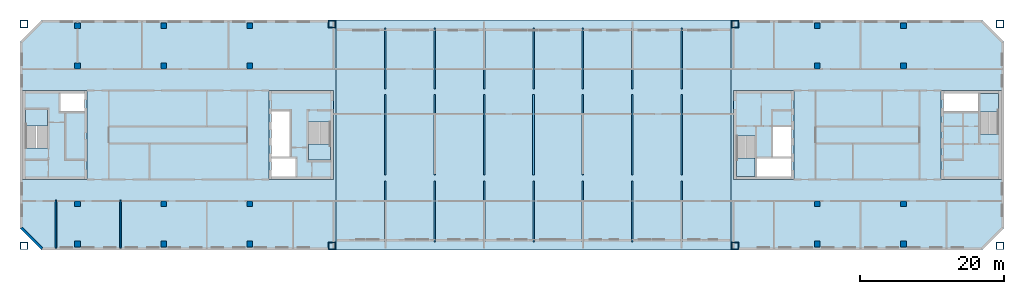
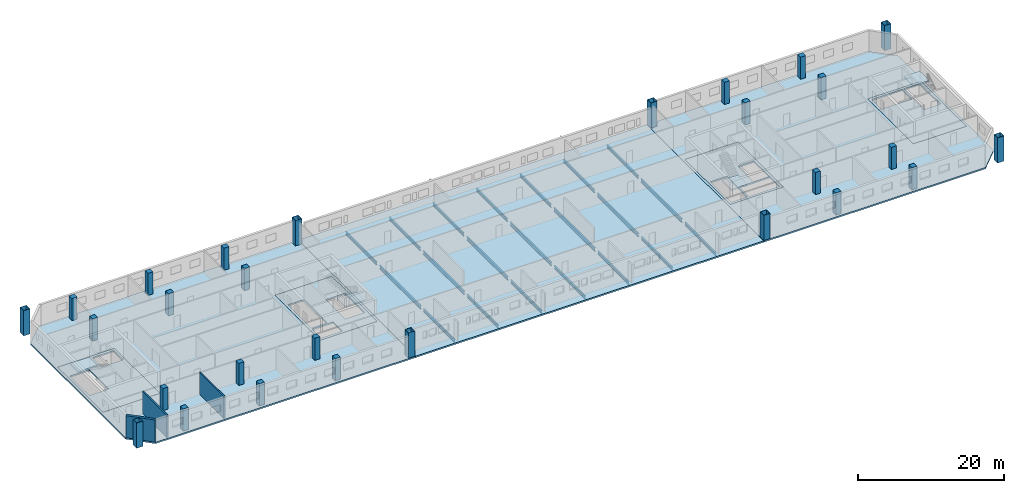
# One storey, part 1 of 13: 28 columns, 21 beams, 11 slabs, 3 walls, 4 elements without a shape of their own.
"""IFC4 building model written with IfcOpenShell, lengths in metres."""

import ifcopenshell
import ifcopenshell.guid

model = None  # the IFC model being written
_history = None  # IfcOwnerHistory: only IFC2X3 demands one
_inside = {}  # id of a spatial element -> (the spatial element, [elements in it])
_under = {}  # id of a project, library or spatial element -> (it, [spatial elements below it])
_declared = {}  # id of a project -> (the project, [libraries it declares])
_typed = {}  # id of a type object -> (the type object, [elements of that type])
_made_of = {}  # id of a material, layer set ... -> (it, [elements and type objects made of it])


def new_model(schema):
    """Start an empty IFC model of exactly this schema.

    Asked for "IFC4X3", IfcOpenShell would pick the latest addendum, in which some entities
    have other attributes; the version numbers below select the first issue.
    IFC2X3 requires an IfcOwnerHistory on every rooted entity: one is made here for all.
    """
    global model, _history
    if schema == "IFC4X3":
        model = ifcopenshell.file(schema_version=(4, 3, 0, 0))
    else:
        model = ifcopenshell.file(schema=schema)
    _inside.clear()
    _under.clear()
    _declared.clear()
    _typed.clear()
    _made_of.clear()
    _history = None
    if model.schema == "IFC2X3":
        org = make("IfcOrganization", Name="unknown")
        user = make(
            "IfcPersonAndOrganization",
            ThePerson=make("IfcPerson", FamilyName="unknown"),
            TheOrganization=org,
        )
        app = make(
            "IfcApplication",
            ApplicationDeveloper=org,
            Version="unknown",
            ApplicationFullName="unknown",
            ApplicationIdentifier="unknown",
        )
        _history = make(
            "IfcOwnerHistory",
            OwningUser=user,
            OwningApplication=app,
            ChangeAction="ADDED",
            CreationDate=0,
        )
    return model


def make(cls, **values):
    """One entity of the class cls with the attributes given. An attribute that is None is left unset."""
    return model.create_entity(
        cls, **{name: value for name, value in values.items() if value is not None}
    )


def rooted(cls, **values):
    """An entity with a GlobalId (a new one), such as an element, a storey or a relation."""
    return make(cls, GlobalId=ifcopenshell.guid.new(), OwnerHistory=_history, **values)


def si_unit(unit_type, name, prefix=None):
    """IfcSIUnit, for example si_unit("LENGTHUNIT", "METRE", prefix="MILLI")."""
    return make("IfcSIUnit", UnitType=unit_type, Prefix=prefix, Name=name)


def assignment(units):
    """IfcUnitAssignment: the units of a project."""
    return None if units is None else make("IfcUnitAssignment", Units=units)


def point(xyz):
    """IfcCartesianPoint."""
    return None if xyz is None else make("IfcCartesianPoint", Coordinates=xyz)


def direction(xyz):
    """IfcDirection."""
    return None if xyz is None else make("IfcDirection", DirectionRatios=xyz)


def frame(location, z_axis=None, x_axis=None):
    """IfcAxis2Placement3D, a coordinate frame: its origin and axes. An axis left out is left unset."""
    return make(
        "IfcAxis2Placement3D",
        Location=point(location),
        Axis=direction(z_axis),
        RefDirection=direction(x_axis),
    )


def frame_2d(location, x_axis=None):
    """IfcAxis2Placement2D, a coordinate frame in the plane: its origin and x axis."""
    return make(
        "IfcAxis2Placement2D", Location=point(location), RefDirection=direction(x_axis)
    )


def origin():
    """The frame at (0, 0, 0) with its axes left unset."""
    return frame((0.0, 0.0, 0.0))


def origin_2d():
    """The frame at (0, 0) in the plane with its x axis left unset."""
    return frame_2d((0.0, 0.0))


def place(relative_to, where):
    """IfcLocalPlacement: puts the frame where relative to a parent placement (None: the world)."""
    return make(
        "IfcLocalPlacement", PlacementRelTo=relative_to, RelativePlacement=where
    )


def context(
    kind, dimensions, precision=None, world=None, true_north=None, identifier=None
):
    """IfcGeometricRepresentationContext, for example the 3D "Model" context."""
    return make(
        "IfcGeometricRepresentationContext",
        ContextIdentifier=identifier,
        ContextType=kind,
        CoordinateSpaceDimension=dimensions,
        Precision=precision,
        WorldCoordinateSystem=world,
        TrueNorth=true_north,
    )


def subcontext(parent, identifier, kind, view, scale=None):
    """IfcGeometricRepresentationSubContext, for example "Body" below "Model"."""
    return make(
        "IfcGeometricRepresentationSubContext",
        ContextIdentifier=identifier,
        ContextType=kind,
        ParentContext=parent,
        TargetScale=scale,
        TargetView=view,
    )


def project(units=None, contexts=None):
    """IfcProject with its units and contexts."""
    return rooted(
        "IfcProject",
        Name="project",
        RepresentationContexts=contexts,
        UnitsInContext=assignment(units),
    )


def spatial(cls, under=None, at=None, **own):
    """A site, building, storey or space (cls), placed at a placement, below another one or the project."""
    s = rooted(cls, ObjectPlacement=at, **own)
    if under is not None:
        _under.setdefault(under.id(), (under, []))[1].append(s)
    return s


def polyline(points):
    """IfcPolyline through the points."""
    return make("IfcPolyline", Points=[point(p) for p in points])


def profile(cls, at=None, kind="AREA", **sizes):
    """A parametric profile (cls). Its sizes go by their IFC names, for example OverallWidth=200.0."""
    return make(cls, ProfileType=kind, Position=at, **sizes)


def rectangle(**sizes):
    """IfcRectangleProfileDef."""
    return profile("IfcRectangleProfileDef", **sizes)


def hollow_rectangle(**sizes):
    """IfcRectangleHollowProfileDef."""
    return profile("IfcRectangleHollowProfileDef", **sizes)


def i_section(**sizes):
    """IfcIShapeProfileDef."""
    return profile("IfcIShapeProfileDef", **sizes)


def outline(outer, holes=None, kind="AREA"):
    """IfcArbitraryClosedProfileDef: a profile drawn as a closed curve; with holes, ...WithVoids."""
    if holes is None:
        return make("IfcArbitraryClosedProfileDef", ProfileType=kind, OuterCurve=outer)
    return make(
        "IfcArbitraryProfileDefWithVoids",
        ProfileType=kind,
        OuterCurve=outer,
        InnerCurves=holes,
    )


def extrude(swept, where, along, depth):
    """IfcExtrudedAreaSolid: the profile swept, set in the frame where, extruded along a direction by depth."""
    return make(
        "IfcExtrudedAreaSolid",
        SweptArea=swept,
        Position=where,
        ExtrudedDirection=direction(along),
        Depth=depth,
    )


def shape(context_of_items, identifier, shape_type, items):
    """IfcShapeRepresentation: the items that make up one representation, for example the "Body"."""
    return make(
        "IfcShapeRepresentation",
        ContextOfItems=context_of_items,
        RepresentationIdentifier=identifier,
        RepresentationType=shape_type,
        Items=items,
    )


def material(Name=None, Category=None):
    """IfcMaterial."""
    return make("IfcMaterial", Name=Name, Category=Category)


def layer(
    of_material, thickness, ventilated=None, Name=None, Category=None, Priority=None
):
    """IfcMaterialLayer: one layer of a wall or slab, of a material (None: an air gap)."""
    return make(
        "IfcMaterialLayer",
        Material=of_material,
        LayerThickness=thickness,
        IsVentilated=ventilated,
        Name=Name,
        Category=Category,
        Priority=Priority,
    )


def layer_set(layers, Name=None):
    """IfcMaterialLayerSet."""
    return make("IfcMaterialLayerSet", MaterialLayers=layers, LayerSetName=Name)


def material_profile(
    of_material, cross_section, Name=None, Category=None, Priority=None
):
    """IfcMaterialProfile: a cross section and its material."""
    return make(
        "IfcMaterialProfile",
        Name=Name,
        Material=of_material,
        Profile=cross_section,
        Priority=Priority,
        Category=Category,
    )


def profile_set(profiles, Name=None, composite=None):
    """IfcMaterialProfileSet."""
    return make(
        "IfcMaterialProfileSet",
        Name=Name,
        MaterialProfiles=profiles,
        CompositeProfile=composite,
    )


def made_of(thing, what):
    """Note that an element or type object is made of a material, layer set ...; save() writes the relation."""
    if what is not None:
        _made_of.setdefault(what.id(), (what, []))[1].append(thing)
    return thing


def type_object(cls, material=None, **own):
    """A type object (cls), such as IfcWallType, which elements share."""
    return made_of(rooted(cls, **own), material)


def element(
    cls,
    number,
    at=None,
    inside=None,
    cuts=None,
    type_object=None,
    material=None,
    context=None,
    identifier="Body",
    shape_type=None,
    held_by="IfcProductDefinitionShape",
    body=None,
    shapes=None,
    **own,
):
    """One element of the class cls, such as IfcWall. Its Tag is "e" and its number.

    at: its placement. inside: the storey or other place that contains it. cuts: it is an
    opening in that element (IfcRelVoidsElement). A single representation is given by context,
    identifier, shape_type and body (its items); several are given by shapes. held_by: the class
    of the entity that holds the representations. save() writes the other relations.
    """
    e = rooted(cls, Tag="e%d" % number, ObjectPlacement=at, **own)
    if body is not None:
        shapes = [shape(context, identifier, shape_type, body)]
    if shapes is not None:
        e.Representation = make(held_by, Representations=shapes)
    if inside is not None:
        _inside.setdefault(inside.id(), (inside, []))[1].append(e)
    if cuts is not None:
        rooted(
            "IfcRelVoidsElement", RelatingBuildingElement=cuts, RelatedOpeningElement=e
        )
    if type_object is not None:
        _typed.setdefault(type_object.id(), (type_object, []))[1].append(e)
    return made_of(e, material)


def aggregate(whole, parts):
    """IfcRelAggregates: a whole, such as a stair, and the parts it consists of."""
    return rooted("IfcRelAggregates", RelatingObject=whole, RelatedObjects=parts)


def save(model, path):
    """Write the relations noted so far, then the file.

    IfcRelAggregates (storeys below a building ...), IfcRelContainedInSpatialStructure (elements
    in a storey), IfcRelDefinesByType, IfcRelAssociatesMaterial and IfcRelDeclares: one each for
    every whole, place, type object, material and project.
    """
    for whole, parts in _under.values():
        aggregate(whole, parts)
    for where, things in _inside.values():
        rooted(
            "IfcRelContainedInSpatialStructure",
            RelatedElements=things,
            RelatingStructure=where,
        )
    for kind, things in _typed.values():
        rooted("IfcRelDefinesByType", RelatedObjects=things, RelatingType=kind)
    for what, things in _made_of.values():
        rooted("IfcRelAssociatesMaterial", RelatedObjects=things, RelatingMaterial=what)
    for by, libraries in _declared.values():
        rooted("IfcRelDeclares", RelatingContext=by, RelatedDefinitions=libraries)
    model.write(path)


model = new_model("IFC4")

# Units and contexts
model_context = context("Model", 3, precision=1e-05, world=origin(), true_north=direction((0.0, 1.0)))
body_context = subcontext(model_context, "Body", "Model", "MODEL_VIEW")
ifc_project = project(units=[si_unit("LENGTHUNIT", "METRE"), si_unit("AREAUNIT", "SQUARE_METRE"), si_unit("VOLUMEUNIT", "CUBIC_METRE"), si_unit("PLANEANGLEUNIT", "RADIAN"), si_unit("MASSUNIT", "GRAM", prefix="KILO")], contexts=[model_context])

# Site, building, storey
site_placement = place(None, origin())
site = spatial("IfcSite", under=ifc_project, at=site_placement, CompositionType="ELEMENT")
building_placement = place(site_placement, origin())
building = spatial("IfcBuilding", under=site, at=building_placement, Name="Tuart Gate Housing", CompositionType="ELEMENT")
storey_placement = place(building_placement, frame((0.0, 0.0, 198.60009765625)))
storey = spatial("IfcBuildingStorey", under=building, at=storey_placement, Name="L56", CompositionType="ELEMENT", Elevation=198.60009765625)

# Columns
ifc_material_1 = material(Name="Steel Grade 350", Category="steel")
ifc_material_profile_1 = material_profile(ifc_material_1, hollow_rectangle(XDim=1.0, YDim=1.0, WallThickness=0.054931640625, at=origin_2d()), Name="BOX 1000x1000x55")
ifc_profile_set_1 = profile_set([ifc_material_profile_1], Name="Steel Grade 350")
column_type_1 = type_object("IfcColumnType", Name="Mega column BOX 1000x1000x55 (4.1-4.5 m)", PredefinedType="COLUMN", material=ifc_profile_set_1)
for number, where, z_axis, x_axis, name in (
    (1, (32.550048828125, 54.550048828125, 0.0), (0.0, 0.0, 1.0), (1.0, 0.0, 0.0), "Mega column A south-west L56"),
    (2, (75.449951171875, 54.550048828125, 0.0), (0.0, 0.0, 1.0), (1.0, 0.0, 0.0), "Mega column A south-east L56"),
    (3, (75.449951171875, 85.449951171875, 0.0), (0.0, 0.0, 1.0), (1.0, 0.0, 0.0), "Mega column A north-east L56"),
    (4, (32.550048828125, 85.449951171875, 0.0), (0.0, 0.0, 1.0), (1.0, 0.0, 0.0), "Mega column A north-west L56"),
    (5, (131.550048828125, 54.550048828125, 0.0), (0.0, 0.0, 1.0), (1.0, 0.0, 0.0), "Mega column B south-west L56"),
    (6, (168.449951171875, 54.550048828125, 0.0), (0.0, 0.0, 1.0), (1.0, 0.0, 0.0), "Mega column B south-east L56"),
    (7, (168.449951171875, 85.449951171875, 0.0), (0.0, 0.0, 1.0), (1.0, 0.0, 0.0), "Mega column B north-east L56"),
    (8, (131.550048828125, 85.449951171875, 0.0), (0.0, 0.0, 1.0), (1.0, 0.0, 0.0), "Mega column B north-west L56"),
):
    element("IfcColumn", number, at=place(storey_placement, frame(where, z_axis=z_axis, x_axis=x_axis)), inside=storey, type_object=column_type_1, Name=name, PredefinedType="COLUMN", context=body_context, shape_type="SweptSolid", body=[
        extrude(hollow_rectangle(XDim=1.0, YDim=1.0, WallThickness=0.054931640625, at=origin_2d()), origin(), (0.0, 0.0, 1.0), 4.199951171875),
    ])
ifc_material_2 = material(Name="Concrete C50", Category="concrete")
ifc_material_profile_2 = material_profile(ifc_material_2, rectangle(XDim=0.800048828125, YDim=0.800048828125, at=origin_2d()), Name="RC column 800 x 800")
ifc_profile_set_2 = profile_set([ifc_material_profile_2], Name="Concrete C50")
column_type_2 = type_object("IfcColumnType", Name="RC column 800 x 800", PredefinedType="COLUMN", material=ifc_profile_set_2)
for number, where, z_axis, x_axis, name in (
    (9, (40.0, 54.800048828125, 0.0), (0.0, 0.0, 1.0), (1.0, 0.0, 0.0), "RC column 9 L56"),
    (10, (40.0, 60.39990234375, 0.0), (0.0, 0.0, 1.0), (1.0, 0.0, 0.0), "RC column 12 L56"),
    (11, (40.0, 79.60009765625, 0.0), (0.0, 0.0, 1.0), (1.0, 0.0, 0.0), "RC column 13 L56"),
    (12, (40.0, 85.199951171875, 0.0), (0.0, 0.0, 1.0), (1.0, 0.0, 0.0), "RC column 16 L56"),
    (13, (52.0, 54.800048828125, 0.0), (0.0, 0.0, 1.0), (1.0, 0.0, 0.0), "RC column 17 L56"),
    (14, (52.0, 60.39990234375, 0.0), (0.0, 0.0, 1.0), (1.0, 0.0, 0.0), "RC column 18 L56"),
    (15, (52.0, 79.60009765625, 0.0), (0.0, 0.0, 1.0), (1.0, 0.0, 0.0), "RC column 19 L56"),
    (16, (52.0, 85.199951171875, 0.0), (0.0, 0.0, 1.0), (1.0, 0.0, 0.0), "RC column 20 L56"),
    (17, (64.0, 54.800048828125, 0.0), (0.0, 0.0, 1.0), (1.0, 0.0, 0.0), "RC column 21 L56"),
    (18, (64.0, 60.39990234375, 0.0), (0.0, 0.0, 1.0), (1.0, 0.0, 0.0), "RC column 22 L56"),
    (19, (64.0, 79.60009765625, 0.0), (0.0, 0.0, 1.0), (1.0, 0.0, 0.0), "RC column 23 L56"),
    (20, (64.0, 85.199951171875, 0.0), (0.0, 0.0, 1.0), (1.0, 0.0, 0.0), "RC column 24 L56"),
    (21, (143.0, 54.800048828125, 0.0), (0.0, 0.0, 1.0), (1.0, 0.0, 0.0), "RC column 25 L56"),
    (22, (143.0, 60.39990234375, 0.0), (0.0, 0.0, 1.0), (1.0, 0.0, 0.0), "RC column 26 L56"),
    (23, (143.0, 79.60009765625, 0.0), (0.0, 0.0, 1.0), (1.0, 0.0, 0.0), "RC column 27 L56"),
    (24, (143.0, 85.199951171875, 0.0), (0.0, 0.0, 1.0), (1.0, 0.0, 0.0), "RC column 28 L56"),
    (25, (155.0, 54.800048828125, 0.0), (0.0, 0.0, 1.0), (1.0, 0.0, 0.0), "RC column 29 L56"),
    (26, (155.0, 60.39990234375, 0.0), (0.0, 0.0, 1.0), (1.0, 0.0, 0.0), "RC column 30 L56"),
    (27, (155.0, 79.60009765625, 0.0), (0.0, 0.0, 1.0), (1.0, 0.0, 0.0), "RC column 31 L56"),
    (28, (155.0, 85.199951171875, 0.0), (0.0, 0.0, 1.0), (1.0, 0.0, 0.0), "RC column 32 L56"),
):
    element("IfcColumn", number, at=place(storey_placement, frame(where, z_axis=z_axis, x_axis=x_axis)), inside=storey, type_object=column_type_2, Name=name, PredefinedType="COLUMN", context=body_context, shape_type="SweptSolid", body=[
        extrude(rectangle(XDim=0.800048828125, YDim=0.800048828125, at=origin_2d()), origin(), (0.0, 0.0, 1.0), 3.699951171875),
    ])

# Beams
ifc_material_3 = material(Name="Steel Grade 350", Category="steel")
ifc_material_profile_3 = material_profile(ifc_material_3, i_section(OverallWidth=0.208984375, OverallDepth=0.532958984375, WebThickness=0.01025390625, FlangeThickness=0.015625, at=origin_2d()), Name="530UB92.4")
ifc_profile_set_3 = profile_set([ifc_material_profile_3], Name="Steel Grade 350")
beam_type_1 = type_object("IfcBeamType", Name="Floor beam 530 UB92.4", PredefinedType="BEAM", material=ifc_profile_set_3)
for number, where, z_axis, x_axis, name in (
    (29, (82.875, 55.10009765625, -0.51611328125), (0.0, 1.0, 0.0), (-1.0, 0.0, 0.0), "Block floor beam L56 bay 1 position 1"),
    (30, (82.875, 76.39990234375, -0.51611328125), (0.0, 1.0, 0.0), (-1.0, 0.0, 0.0), "Block floor beam L56 bay 1 position 3"),
    (31, (89.75, 55.10009765625, -0.51611328125), (0.0, 1.0, 0.0), (-1.0, 0.0, 0.0), "Block floor beam L56 bay 2 position 1"),
    (32, (89.75, 76.39990234375, -0.51611328125), (0.0, 1.0, 0.0), (-1.0, 0.0, 0.0), "Block floor beam L56 bay 2 position 3"),
    (33, (96.625, 55.10009765625, -0.51611328125), (0.0, 1.0, 0.0), (-1.0, 0.0, 0.0), "Block floor beam L56 bay 3 position 1"),
    (34, (96.625, 76.39990234375, -0.51611328125), (0.0, 1.0, 0.0), (-1.0, 0.0, 0.0), "Block floor beam L56 bay 3 position 3"),
    (35, (103.5, 55.10009765625, -0.51611328125), (0.0, 1.0, 0.0), (-1.0, 0.0, 0.0), "Block floor beam L56 bay 4 position 1"),
    (36, (103.5, 76.39990234375, -0.51611328125), (0.0, 1.0, 0.0), (-1.0, 0.0, 0.0), "Block floor beam L56 bay 4 position 3"),
    (37, (110.375, 55.10009765625, -0.51611328125), (0.0, 1.0, 0.0), (-1.0, 0.0, 0.0), "Block floor beam L56 bay 5 position 1"),
    (38, (110.375, 76.39990234375, -0.51611328125), (0.0, 1.0, 0.0), (-1.0, 0.0, 0.0), "Block floor beam L56 bay 5 position 3"),
    (39, (117.25, 55.10009765625, -0.51611328125), (0.0, 1.0, 0.0), (-1.0, 0.0, 0.0), "Block floor beam L56 bay 6 position 1"),
    (40, (117.25, 76.39990234375, -0.51611328125), (0.0, 1.0, 0.0), (-1.0, 0.0, 0.0), "Block floor beam L56 bay 6 position 3"),
    (41, (124.125, 55.10009765625, -0.51611328125), (0.0, 1.0, 0.0), (-1.0, 0.0, 0.0), "Block floor beam L56 bay 7 position 1"),
    (42, (124.125, 76.39990234375, -0.51611328125), (0.0, 1.0, 0.0), (-1.0, 0.0, 0.0), "Block floor beam L56 bay 7 position 3"),
):
    element("IfcBeam", number, at=place(storey_placement, frame(where, z_axis=z_axis, x_axis=x_axis)), inside=storey, type_object=beam_type_1, Name=name, PredefinedType="BEAM", context=body_context, shape_type="SweptSolid", body=[
        extrude(i_section(OverallWidth=0.208984375, OverallDepth=0.532958984375, WebThickness=0.01025390625, FlangeThickness=0.015625, at=origin_2d()), origin(), (0.0, 0.0, 1.0), 8.5),
    ])
ifc_material_4 = material(Name="Steel Grade 350", Category="steel")
ifc_material_profile_4 = material_profile(ifc_material_4, i_section(OverallWidth=0.22900390625, OverallDepth=0.612060546875, WebThickness=0.011962890625, FlangeThickness=0.01953125, at=origin_2d()), Name="610UB125")
ifc_profile_set_4 = profile_set([ifc_material_profile_4], Name="Steel Grade 350")
beam_type_2 = type_object("IfcBeamType", Name="Floor beam 610 UB125", PredefinedType="BEAM", material=ifc_profile_set_4)
for number, where, z_axis, x_axis, name in (
    (43, (82.875, 64.39990234375, -0.55615234375), (0.0, 1.0, 0.0), (-1.0, 0.0, 0.0), "Block floor beam L56 bay 1 position 2"),
    (44, (89.75, 64.39990234375, -0.55615234375), (0.0, 1.0, 0.0), (-1.0, 0.0, 0.0), "Block floor beam L56 bay 2 position 2"),
    (45, (96.625, 64.39990234375, -0.55615234375), (0.0, 1.0, 0.0), (-1.0, 0.0, 0.0), "Block floor beam L56 bay 3 position 2"),
    (46, (103.5, 64.39990234375, -0.55615234375), (0.0, 1.0, 0.0), (-1.0, 0.0, 0.0), "Block floor beam L56 bay 4 position 2"),
    (47, (110.375, 64.39990234375, -0.55615234375), (0.0, 1.0, 0.0), (-1.0, 0.0, 0.0), "Block floor beam L56 bay 5 position 2"),
    (48, (117.25, 64.39990234375, -0.55615234375), (0.0, 1.0, 0.0), (-1.0, 0.0, 0.0), "Block floor beam L56 bay 6 position 2"),
    (49, (124.125, 64.39990234375, -0.55615234375), (0.0, 1.0, 0.0), (-1.0, 0.0, 0.0), "Block floor beam L56 bay 7 position 2"),
):
    element("IfcBeam", number, at=place(storey_placement, frame(where, z_axis=z_axis, x_axis=x_axis)), inside=storey, type_object=beam_type_2, Name=name, PredefinedType="BEAM", context=body_context, shape_type="SweptSolid", body=[
        extrude(i_section(OverallWidth=0.22900390625, OverallDepth=0.612060546875, WebThickness=0.011962890625, FlangeThickness=0.01953125, at=origin_2d()), origin(), (0.0, 0.0, 1.0), 11.2001953125),
    ])

# Slabs
ifc_material_5 = material(Name="Concrete C40", Category="concrete")
ifc_layer_1 = layer(ifc_material_5, 0.25)
ifc_layer_set_1 = layer_set([ifc_layer_1], Name="Core floor slab 250")
slab_type_1 = type_object("IfcSlabType", Name="Core floor slab 250", PredefinedType="FLOOR", material=ifc_layer_set_1)
slab_1_placement = place(storey_placement, frame((0.0, 0.0, -0.25)))
element("IfcSlab", 50, at=slab_1_placement, inside=storey, type_object=slab_type_1, Name="Core floor AG", PredefinedType="FLOOR", context=body_context, shape_type="SweptSolid", body=[
    extrude(outline(polyline([(66.639892578125, 63.800048828125), (75.639892578125, 63.800048828125), (75.639892578125, 76.199951171875), (66.639892578125, 76.199951171875), (66.639892578125, 63.800048828125)]), holes=[polyline([(67.0400390625, 64.199951171875), (70.385009765625, 64.199951171875), (70.385009765625, 66.72509765625), (67.0400390625, 66.72509765625), (67.0400390625, 64.199951171875)]), polyline([(67.0400390625, 66.97509765625), (69.56494140625, 66.97509765625), (69.56494140625, 73.324951171875), (67.0400390625, 73.324951171875), (67.0400390625, 66.97509765625)]), polyline([(72.1650390625, 66.47509765625), (75.239990234375, 66.47509765625), (75.239990234375, 71.804931640625), (72.1650390625, 71.804931640625), (72.1650390625, 66.47509765625)])]), origin(), (0.0, 0.0, 1.0), 0.25),
])
slab_2_placement = place(storey_placement, frame((0.0, 0.0, -0.25)))
element("IfcSlab", 51, at=slab_2_placement, inside=storey, type_object=slab_type_1, Name="Core floor AK", PredefinedType="FLOOR", context=body_context, shape_type="SweptSolid", body=[
    extrude(outline(polyline([(32.360107421875, 63.800048828125), (41.360107421875, 63.800048828125), (41.360107421875, 76.199951171875), (32.360107421875, 76.199951171875), (32.360107421875, 63.800048828125)]), holes=[polyline([(40.9599609375, 75.800048828125), (37.614990234375, 75.800048828125), (37.614990234375, 73.27490234375), (40.9599609375, 73.27490234375), (40.9599609375, 75.800048828125)]), polyline([(35.8349609375, 73.52490234375), (32.760009765625, 73.52490234375), (32.760009765625, 68.195068359375), (35.8349609375, 68.195068359375), (35.8349609375, 73.52490234375)])]), origin(), (0.0, 0.0, 1.0), 0.25),
])
slab_3_placement = place(storey_placement, frame((0.0, 0.0, -0.25)))
element("IfcSlab", 52, at=slab_3_placement, inside=storey, type_object=slab_type_1, Name="Core floor BG", PredefinedType="FLOOR", context=body_context, shape_type="SweptSolid", body=[
    extrude(outline(polyline([(131.360107421875, 63.800048828125), (139.760009765625, 63.800048828125), (139.760009765625, 76.199951171875), (131.360107421875, 76.199951171875), (131.360107421875, 63.800048828125)]), holes=[polyline([(139.360107421875, 66.85009765625), (134.5849609375, 66.85009765625), (134.5849609375, 64.199951171875), (139.360107421875, 64.199951171875), (139.360107421875, 66.85009765625)]), polyline([(139.360107421875, 71.125), (136.8349609375, 71.125), (136.8349609375, 66.97509765625), (139.360107421875, 66.97509765625), (139.360107421875, 71.125)]), polyline([(134.3349609375, 69.85498046875), (131.760009765625, 69.85498046875), (131.760009765625, 64.199951171875), (134.3349609375, 64.199951171875), (134.3349609375, 69.85498046875)])]), origin(), (0.0, 0.0, 1.0), 0.25),
])
slab_4_placement = place(storey_placement, frame((0.0, 0.0, -0.25)))
element("IfcSlab", 53, at=slab_4_placement, inside=storey, type_object=slab_type_1, Name="Core floor BK", PredefinedType="FLOOR", context=body_context, shape_type="SweptSolid", body=[
    extrude(outline(polyline([(160.239990234375, 63.800048828125), (168.639892578125, 63.800048828125), (168.639892578125, 76.199951171875), (160.239990234375, 76.199951171875), (160.239990234375, 63.800048828125)]), holes=[polyline([(160.639892578125, 73.14990234375), (165.4150390625, 73.14990234375), (165.4150390625, 75.800048828125), (160.639892578125, 75.800048828125), (160.639892578125, 73.14990234375)]), polyline([(165.6650390625, 70.14501953125), (168.239990234375, 70.14501953125), (168.239990234375, 75.800048828125), (165.6650390625, 75.800048828125), (165.6650390625, 70.14501953125)])]), origin(), (0.0, 0.0, 1.0), 0.25),
])
ifc_material_6 = material(Name="Concrete C40", Category="concrete")
ifc_layer_2 = layer(ifc_material_6, 0.25)
ifc_layer_set_2 = layer_set([ifc_layer_2], Name="Flat plate 250")
slab_type_2 = type_object("IfcSlabType", Name="Flat plate 250", PredefinedType="FLOOR", material=ifc_layer_set_2)
slab_5_placement = place(storey_placement, frame((0.0, 0.0, -0.25)))
element("IfcSlab", 54, at=slab_5_placement, inside=storey, type_object=slab_type_2, Name="Floor slab A L56", PredefinedType="FLOOR", context=body_context, shape_type="SweptSolid", body=[
    extrude(outline(polyline([(35.0, 86.0), (32.0, 83.0), (32.0, 57.0), (35.0, 54.0), (76.0, 54.0), (76.0, 86.0), (35.0, 86.0)]), holes=[polyline([(66.639892578125, 76.199951171875), (75.639892578125, 76.199951171875), (75.639892578125, 63.800048828125), (66.639892578125, 63.800048828125), (66.639892578125, 76.199951171875)]), polyline([(41.360107421875, 76.199951171875), (41.360107421875, 63.800048828125), (32.360107421875, 63.800048828125), (32.360107421875, 76.199951171875), (41.360107421875, 76.199951171875)])]), origin(), (0.0, 0.0, 1.0), 0.25),
])
slab_6_placement = place(storey_placement, frame((0.0, 0.0, -0.25)))
element("IfcSlab", 55, at=slab_6_placement, inside=storey, type_object=slab_type_2, Name="Floor slab B L56", PredefinedType="FLOOR", context=body_context, shape_type="SweptSolid", body=[
    extrude(outline(polyline([(166.0, 86.0), (131.0, 86.0), (131.0, 54.0), (166.0, 54.0), (169.0, 57.0), (169.0, 83.0), (166.0, 86.0)]), holes=[polyline([(131.360107421875, 76.199951171875), (139.760009765625, 76.199951171875), (139.760009765625, 63.800048828125), (131.360107421875, 63.800048828125), (131.360107421875, 76.199951171875)]), polyline([(168.639892578125, 76.199951171875), (168.639892578125, 63.800048828125), (160.239990234375, 63.800048828125), (160.239990234375, 76.199951171875), (168.639892578125, 76.199951171875)])]), origin(), (0.0, 0.0, 1.0), 0.25),
])
slab_7_placement = place(storey_placement, frame((0.0, 0.0, -0.25)))
element("IfcSlab", 56, at=slab_7_placement, inside=storey, type_object=slab_type_2, Name="Link floor slab L56", PredefinedType="FLOOR", context=body_context, shape_type="SweptSolid", body=[
    extrude(outline(polyline([(76.0, 54.0), (131.0, 54.0), (131.0, 86.0), (76.0, 86.0), (76.0, 54.0)])), origin(), (0.0, 0.0, 1.0), 0.25),
])

# Stair, slab
ifc_material_7 = material(Name="Concrete C40", Category="concrete")
stair_type_1 = type_object("IfcStairType", Name="Core stair 1500", PredefinedType="HALF_TURN_STAIR", material=ifc_material_7)
stair_1_placement = place(storey_placement, origin())
stair_1 = element("IfcStair", 57, at=stair_1_placement, inside=storey, type_object=stair_type_1, Name="Stair SA1", PredefinedType="HALF_TURN_STAIR")
ifc_material_8 = material(Name="Concrete C40", Category="concrete")
ifc_layer_3 = layer(ifc_material_8, 0.199951171875)
ifc_layer_set_3 = layer_set([ifc_layer_3], Name="Stair landing 200")
slab_type_3 = type_object("IfcSlabType", Name="Stair landing 200", PredefinedType="LANDING", material=ifc_layer_set_3)
slab_8_placement = place(storey_placement, frame((0.0, 0.0, 1.89990234375)))
slab_8 = element("IfcSlab", 58, at=slab_8_placement, type_object=slab_type_3, Name="SA1 landing 1", PredefinedType="LANDING", context=body_context, shape_type="SweptSolid", body=[
    extrude(outline(polyline([(72.1650390625, 66.47509765625), (75.239990234375, 66.47509765625), (75.239990234375, 68.7451171875), (72.1650390625, 68.7451171875), (72.1650390625, 66.47509765625)])), origin(), (0.0, 0.0, 1.0), 0.199951171875),
])
aggregate(stair_1, [slab_8])

stair_2_placement = place(storey_placement, origin())
stair_2 = element("IfcStair", 59, at=stair_2_placement, inside=storey, type_object=stair_type_1, Name="Stair SA2", PredefinedType="HALF_TURN_STAIR")
slab_9_placement = place(storey_placement, frame((0.0, 0.0, 1.89990234375)))
slab_9 = element("IfcSlab", 60, at=slab_9_placement, type_object=slab_type_3, Name="SA2 landing 1", PredefinedType="LANDING", context=body_context, shape_type="SweptSolid", body=[
    extrude(outline(polyline([(35.8349609375, 73.52490234375), (32.760009765625, 73.52490234375), (32.760009765625, 71.2548828125), (35.8349609375, 71.2548828125), (35.8349609375, 73.52490234375)])), origin(), (0.0, 0.0, 1.0), 0.199951171875),
])
aggregate(stair_2, [slab_9])

ifc_material_9 = material(Name="Concrete C40", Category="concrete")
stair_type_2 = type_object("IfcStairType", Name="Core stair 1250", PredefinedType="HALF_TURN_STAIR", material=ifc_material_9)
stair_3_placement = place(storey_placement, origin())
stair_3 = element("IfcStair", 61, at=stair_3_placement, inside=storey, type_object=stair_type_2, Name="Stair SB1", PredefinedType="HALF_TURN_STAIR")
slab_10_placement = place(storey_placement, frame((0.0, 0.0, 1.89990234375)))
slab_10 = element("IfcSlab", 62, at=slab_10_placement, type_object=slab_type_3, Name="SB1 landing 1", PredefinedType="LANDING", context=body_context, shape_type="SweptSolid", body=[
    extrude(outline(polyline([(134.3349609375, 66.794921875), (131.760009765625, 66.794921875), (131.760009765625, 64.199951171875), (134.3349609375, 64.199951171875), (134.3349609375, 66.794921875)])), origin(), (0.0, 0.0, 1.0), 0.199951171875),
])
aggregate(stair_3, [slab_10])

stair_4_placement = place(storey_placement, origin())
stair_4 = element("IfcStair", 63, at=stair_4_placement, inside=storey, type_object=stair_type_2, Name="Stair SB2", PredefinedType="HALF_TURN_STAIR")
slab_11_placement = place(storey_placement, frame((0.0, 0.0, 1.89990234375)))
slab_11 = element("IfcSlab", 64, at=slab_11_placement, type_object=slab_type_3, Name="SB2 landing 1", PredefinedType="LANDING", context=body_context, shape_type="SweptSolid", body=[
    extrude(outline(polyline([(165.6650390625, 73.205078125), (168.239990234375, 73.205078125), (168.239990234375, 75.800048828125), (165.6650390625, 75.800048828125), (165.6650390625, 73.205078125)])), origin(), (0.0, 0.0, 1.0), 0.199951171875),
])
aggregate(stair_4, [slab_11])

# Walls
ifc_material_10 = material(Name="Brick", Category="masonry")
ifc_layer_4 = layer(ifc_material_10, 0.360107421875)
ifc_layer_set_4 = layer_set([ifc_layer_4], Name="Brick pier and spandrel wall 360")
wall_type_1 = type_object("IfcWallType", Name="Brick pier and spandrel wall 360", PredefinedType="STANDARD", material=ifc_layer_set_4)
wall_placement = place(storey_placement, frame((32.179931640625, 57.07470703125, 0.0), z_axis=(0.0, 0.0, 1.0), x_axis=(0.707106781187, -0.707106781187, 0.0)))
element("IfcWall", 65, at=wall_placement, inside=storey, type_object=wall_type_1, Name="External wall BLK-SW L56", PredefinedType="STANDARD", context=body_context, shape_type="SweptSolid", body=[
    extrude(rectangle(XDim=4.09375, YDim=0.360107421875, at=frame_2d((2.046875, 0.0))), origin(), (0.0, 0.0, 1.0), 3.699951171875),
])
ifc_material_11 = material(Name="Concrete masonry 15 MPa", Category="masonry")
ifc_layer_5 = layer(ifc_material_11, 0.199951171875)
ifc_layer_set_5 = layer_set([ifc_layer_5], Name="Enclosure wall masonry 200")
wall_type_2 = type_object("IfcWallType", Name="Enclosure wall masonry 200", PredefinedType="PARTITIONING", material=ifc_layer_set_5)
for number, where, z_axis, x_axis, name in (
    (66, (37.0, 54.239990234375, 0.0), (0.0, 0.0, 1.0), (0.0, 1.0, 0.0), "Enclosure wall masonry 200"),
    (67, (46.0, 54.239990234375, 0.0), (0.0, 0.0, 1.0), (0.0, 1.0, 0.0), "Enclosure wall masonry 200"),
):
    element("IfcWall", number, at=place(storey_placement, frame(where, z_axis=z_axis, x_axis=x_axis)), inside=storey, type_object=wall_type_2, Name=name, PredefinedType="PARTITIONING", context=body_context, shape_type="SweptSolid", body=[
        extrude(rectangle(XDim=6.659912109375, YDim=0.199951171875, at=frame_2d((3.330078125, 0.0))), origin(), (0.0, 0.0, 1.0), 3.699951171875),
    ])

save(model, "model.ifc")
